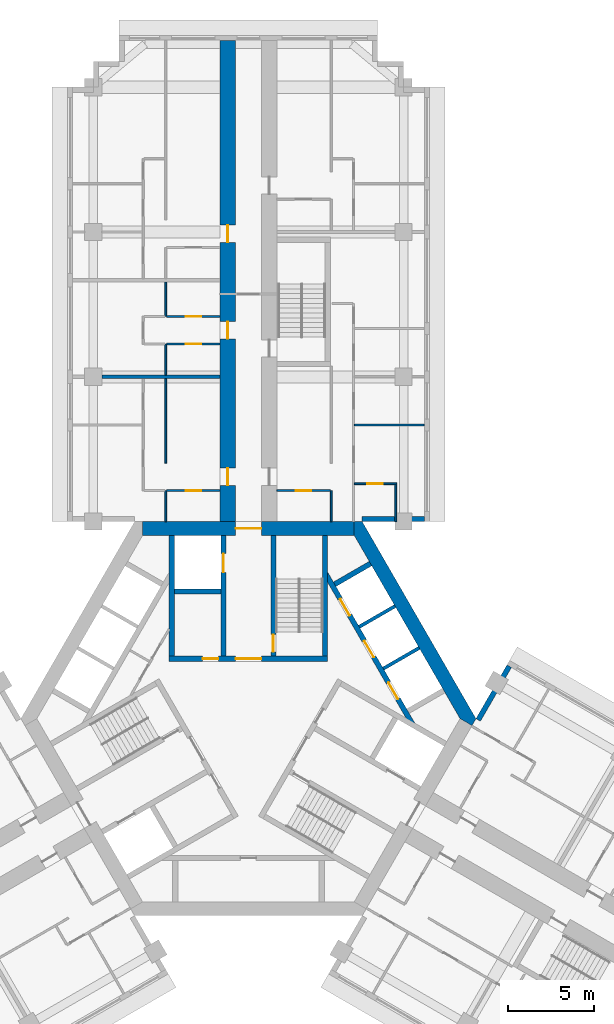
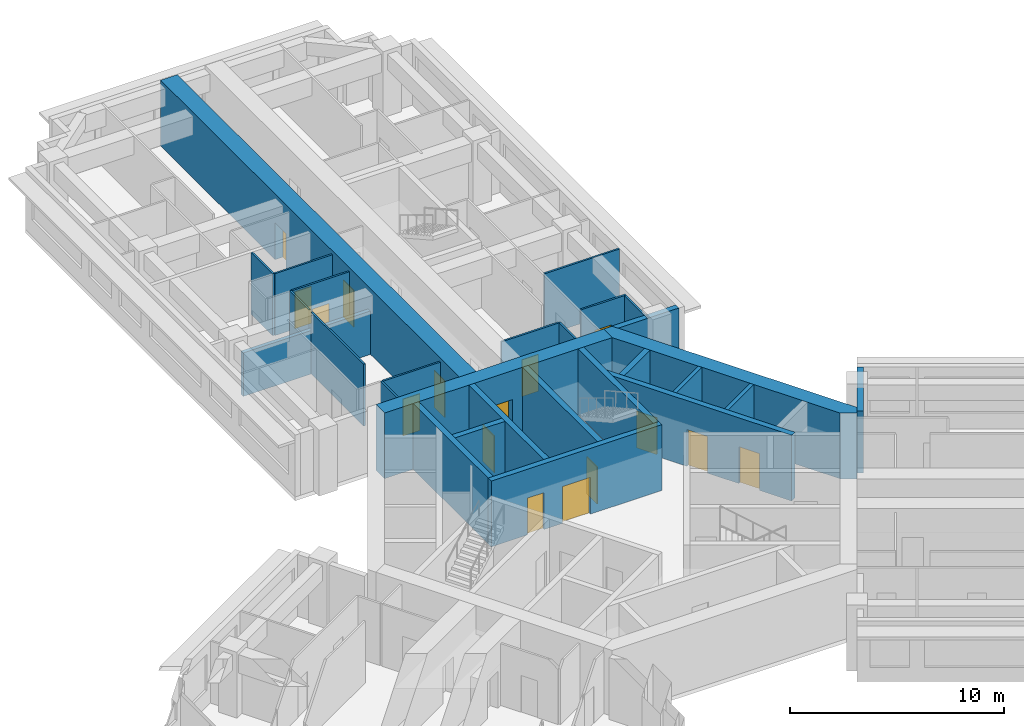
# One storey, part 9 of 15: 28 walls, 16 doors, 16 openings.
"""IFC4 building model written with IfcOpenShell, lengths in metres."""

from ifc_helpers import new_model, si_unit, direction, frame, frame_2d, origin, place, context, subcontext, project, spatial, polyline, rectangle, outline, extrude, material, layer, layer_set, type_object, element, fill, save


model = new_model("IFC4")

# Units and contexts
model_context = context("Model", 3, precision=1e-05, world=origin(), true_north=direction((0.0, 1.0)))
body_context = subcontext(model_context, "Body", "Model", "MODEL_VIEW")
ifc_project = project(units=[si_unit("LENGTHUNIT", "METRE"), si_unit("AREAUNIT", "SQUARE_METRE"), si_unit("VOLUMEUNIT", "CUBIC_METRE"), si_unit("PLANEANGLEUNIT", "RADIAN"), si_unit("MASSUNIT", "GRAM", prefix="KILO")], contexts=[model_context])

# Site, building, storey
site_placement = place(None, origin())
site = spatial("IfcSite", under=ifc_project, at=site_placement, CompositionType="ELEMENT")
building_placement = place(site_placement, origin())
building = spatial("IfcBuilding", under=site, at=building_placement, Name="Impinga Residences", CompositionType="ELEMENT")
storey_placement = place(building_placement, frame((0.0, 0.0, 132.25)))
storey = spatial("IfcBuildingStorey", under=building, at=storey_placement, Name="L32", CompositionType="ELEMENT", Elevation=132.25)

# Wall, openings, doors
ifc_material_1 = material(Name="Concrete C60/75", Category="concrete")
ifc_layer_1 = layer(ifc_material_1, 0.89990234375)
ifc_layer_set_1 = layer_set([ifc_layer_1], Name="Concrete C60/75")
wall_type_1 = type_object("IfcWallType", Name="BW2 corridor buttress wall, L24 to L44 900", PredefinedType="SHEAR", material=ifc_layer_set_1)
wall_1_placement = place(storey_placement, frame((-1.199951171875, 11.031494140625, 0.0), z_axis=(0.0, 0.0, 1.0), x_axis=(0.0, 1.0, 0.0)))
wall_1 = element("IfcWall", 1, at=wall_1_placement, inside=storey, type_object=wall_type_1, Name="Corridor wall BW2 NC L32", PredefinedType="SHEAR", context=body_context, shape_type="SweptSolid", body=[
    extrude(rectangle(XDim=28.300048828125, YDim=0.89990234375, at=frame_2d((14.14990234375, 0.0))), origin(), (0.0, 0.0, 1.0), 3.75),
])
opening_1_placement = place(wall_1_placement, frame((2.5, 0.0, 0.0)))
opening_1 = element("IfcOpeningElement", 2, at=opening_1_placement, cuts=wall_1, Name="Opening D1", PredefinedType="OPENING", context=body_context, shape_type="SweptSolid", body=[
    extrude(rectangle(XDim=1.0, YDim=2.10009765625, at=frame_2d((0.5, 1.050048828125))), frame((0.0, 0.4599609375, 0.0), z_axis=(0.0, -1.0, 0.0), x_axis=(1.0, 0.0, 0.0)), (0.0, 0.0, 1.0), 0.919921875),
])
opening_2_placement = place(wall_1_placement, frame((11.0, 0.0, 0.0)))
opening_2 = element("IfcOpeningElement", 3, at=opening_2_placement, cuts=wall_1, Name="Opening D1", PredefinedType="OPENING", context=body_context, shape_type="SweptSolid", body=[
    extrude(rectangle(XDim=1.0, YDim=2.10009765625, at=frame_2d((0.5, 1.050048828125))), frame((0.0, 0.4599609375, 0.0), z_axis=(0.0, -1.0, 0.0), x_axis=(1.0, 0.0, 0.0)), (0.0, 0.0, 1.0), 0.919921875),
])
opening_3_placement = place(wall_1_placement, frame((16.60009765625, 0.0, 0.0)))
opening_3 = element("IfcOpeningElement", 4, at=opening_3_placement, cuts=wall_1, Name="Opening D1", PredefinedType="OPENING", context=body_context, shape_type="SweptSolid", body=[
    extrude(rectangle(XDim=1.0, YDim=2.10009765625, at=frame_2d((0.5, 1.050048828125))), frame((0.0, 0.4599609375, 0.0), z_axis=(0.0, -1.0, 0.0), x_axis=(1.0, 0.0, 0.0)), (0.0, 0.0, 1.0), 0.919921875),
])
ifc_material_2 = material(Name="Timber door set", Category="wood")
door_type_1 = type_object("IfcDoorType", Name="D1 apartment entrance door 1000x2100", OperationType="SINGLE_SWING_LEFT", PredefinedType="DOOR", material=ifc_material_2)
door_1_placement = place(opening_1_placement, origin())
door_1 = element("IfcDoor", 5, at=door_1_placement, inside=storey, type_object=door_type_1, Name="Apartment L32-NA1 entrance", OperationType="SINGLE_SWING_LEFT", OverallHeight=2.10009765625, OverallWidth=1.0, PredefinedType="DOOR", context=body_context, shape_type="SweptSolid", body=[
    extrude(rectangle(XDim=1.0, YDim=2.10009765625, at=frame_2d((0.5, 1.050048828125))), frame((0.0, 0.02490234375, 0.0), z_axis=(0.0, -1.0, 0.0), x_axis=(1.0, 0.0, 0.0)), (0.0, 0.0, 1.0), 0.050048828125),
])
fill(opening_1, door_1)
door_2_placement = place(opening_2_placement, origin())
door_2 = element("IfcDoor", 6, at=door_2_placement, inside=storey, type_object=door_type_1, Name="Apartment L32-NA2 entrance", OperationType="SINGLE_SWING_LEFT", OverallHeight=2.10009765625, OverallWidth=1.0, PredefinedType="DOOR", context=body_context, shape_type="SweptSolid", body=[
    extrude(rectangle(XDim=1.0, YDim=2.10009765625, at=frame_2d((0.5, 1.050048828125))), frame((0.0, 0.02490234375, 0.0), z_axis=(0.0, -1.0, 0.0), x_axis=(1.0, 0.0, 0.0)), (0.0, 0.0, 1.0), 0.050048828125),
])
fill(opening_2, door_2)
door_3_placement = place(opening_3_placement, origin())
door_3 = element("IfcDoor", 7, at=door_3_placement, inside=storey, type_object=door_type_1, Name="Apartment L32-NA3 entrance", OperationType="SINGLE_SWING_RIGHT", OverallHeight=2.10009765625, OverallWidth=1.0, PredefinedType="DOOR", context=body_context, shape_type="SweptSolid", body=[
    extrude(rectangle(XDim=1.0, YDim=2.10009765625, at=frame_2d((0.5, 1.050048828125))), frame((0.0, 0.02490234375, 0.0), z_axis=(0.0, -1.0, 0.0), x_axis=(1.0, 0.0, 0.0)), (0.0, 0.0, 1.0), 0.050048828125),
])
fill(opening_3, door_3)

# Walls
ifc_material_3 = material(Name="Terracotta rainscreen on blockwork", Category="masonry")
ifc_layer_2 = layer(ifc_material_3, 0.300048828125)
ifc_layer_set_2 = layer_set([ifc_layer_2], Name="EW1 external wall, terracotta rainscreen on blockwork 300")
wall_type_2 = type_object("IfcWallType", Name="EW1 external wall, terracotta rainscreen on blockwork 300", PredefinedType="SOLIDWALL", material=ifc_layer_set_2)
wall_2_placement = place(storey_placement, frame((10.199951171875, 11.58154296875, 0.0), z_axis=(0.0, 0.0, 1.0), x_axis=(-1.0, 0.0, 0.0)))
element("IfcWall", 8, at=wall_2_placement, inside=storey, type_object=wall_type_2, Name="External wall EW1 L32", PredefinedType="SOLIDWALL", context=body_context, shape_type="SweptSolid", body=[
    extrude(rectangle(XDim=3.599853515625, YDim=0.300048828125, at=frame_2d((1.7998046875, 0.0))), origin(), (0.0, 0.0, 1.0), 3.530029296875),
])
wall_3_placement = place(storey_placement, frame((13.329833984375, -0.074951171875, 0.0), z_axis=(0.0, 0.0, 1.0), x_axis=(0.500012057535, 0.866018442252, 0.0)))
element("IfcWall", 9, at=wall_3_placement, inside=storey, type_object=wall_type_2, Name="External wall EW1 L32", PredefinedType="SOLIDWALL", context=body_context, shape_type="SweptSolid", body=[
    extrude(rectangle(XDim=3.60009765625, YDim=0.300048828125, at=frame_2d((1.800048828125, 0.0))), origin(), (0.0, 0.0, 1.0), 3.530029296875),
])
ifc_material_4 = material(Name="Gypsum board on steel studs", Category="steel")
ifc_layer_3 = layer(ifc_material_4, 0.10009765625)
ifc_layer_set_3 = layer_set([ifc_layer_3], Name="Gypsum board on steel studs")
wall_type_3 = type_object("IfcWallType", Name="IP1 partition 100", PredefinedType="PARTITIONING", material=ifc_layer_set_3)
wall_4_placement = place(storey_placement, frame((-4.800048828125, 11.431640625, 0.0), z_axis=(0.0, 0.0, 1.0), x_axis=(0.0, 1.0, 0.0)))
element("IfcWall", 10, at=wall_4_placement, inside=storey, type_object=wall_type_3, Name="Partition L32-NA1:DIV0", PredefinedType="PARTITIONING", context=body_context, shape_type="SweptSolid", body=[
    extrude(rectangle(XDim=1.7998046875, YDim=0.10009765625, at=frame_2d((0.89990234375, 0.0))), origin(), (0.0, 0.0, 1.0), 3.530029296875),
])
wall_5_placement = place(storey_placement, frame((-4.800048828125, 14.83154296875, 0.0), z_axis=(0.0, 0.0, 1.0), x_axis=(0.0, 1.0, 0.0)))
element("IfcWall", 11, at=wall_5_placement, inside=storey, type_object=wall_type_3, Name="Partition L32-NA1:DIV1", PredefinedType="PARTITIONING", context=body_context, shape_type="SweptSolid", body=[
    extrude(rectangle(XDim=4.89990234375, YDim=0.10009765625, at=frame_2d((2.449951171875, 0.0))), origin(), (0.0, 0.0, 1.0), 3.530029296875),
])

# Wall, opening, door
wall_6_placement = place(storey_placement, frame((-1.64990234375, 13.2314453125, 0.0), z_axis=(0.0, 0.0, 1.0), x_axis=(-1.0, 0.0, 0.0)))
wall_6 = element("IfcWall", 12, at=wall_6_placement, inside=storey, type_object=wall_type_3, Name="Partition L32-NA1:IB1", PredefinedType="PARTITIONING", context=body_context, shape_type="SweptSolid", body=[
    extrude(rectangle(XDim=3.10009765625, YDim=0.10009765625, at=frame_2d((1.550048828125, 0.0))), origin(), (0.0, 0.0, 1.0), 3.530029296875),
])
opening_4_placement = place(wall_6_placement, frame((1.10009765625, 0.0, 0.0)))
opening_4 = element("IfcOpeningElement", 13, at=opening_4_placement, cuts=wall_6, Name="Opening D2", PredefinedType="OPENING", context=body_context, shape_type="SweptSolid", body=[
    extrude(rectangle(XDim=0.89990234375, YDim=2.10009765625, at=frame_2d((0.449951171875, 1.050048828125))), frame((0.0, 0.06005859375, 0.0), z_axis=(0.0, -1.0, 0.0), x_axis=(1.0, 0.0, 0.0)), (0.0, 0.0, 1.0), 0.1201171875),
])
door_type_2 = type_object("IfcDoorType", Name="D2 internal door 900x2100", OperationType="SINGLE_SWING_LEFT", PredefinedType="DOOR", material=ifc_material_2)
door_4_placement = place(opening_4_placement, origin())
door_4 = element("IfcDoor", 14, at=door_4_placement, inside=storey, type_object=door_type_2, Name="Apartment L32-NA1 bathroom door", OperationType="SINGLE_SWING_LEFT", OverallHeight=2.10009765625, OverallWidth=0.89990234375, PredefinedType="DOOR", context=body_context, shape_type="SweptSolid", body=[
    extrude(rectangle(XDim=0.89990234375, YDim=2.10009765625, at=frame_2d((0.449951171875, 1.050048828125))), frame((0.0, 0.02490234375, 0.0), z_axis=(0.0, -1.0, 0.0), x_axis=(1.0, 0.0, 0.0)), (0.0, 0.0, 1.0), 0.050048828125),
])
fill(opening_4, door_4)

# Walls
wall_7_placement = place(storey_placement, frame((-4.800048828125, 19.931640625, 0.0), z_axis=(0.0, 0.0, 1.0), x_axis=(0.0, 1.0, 0.0)))
element("IfcWall", 15, at=wall_7_placement, inside=storey, type_object=wall_type_3, Name="Partition L32-NA2:DIV0", PredefinedType="PARTITIONING", context=body_context, shape_type="SweptSolid", body=[
    extrude(rectangle(XDim=1.7998046875, YDim=0.10009765625, at=frame_2d((0.89990234375, 0.0))), origin(), (0.0, 0.0, 1.0), 3.530029296875),
])
wall_8_placement = place(storey_placement, frame((-4.800048828125, 23.33154296875, 0.0), z_axis=(0.0, 0.0, 1.0), x_axis=(0.0, 1.0, 0.0)))
element("IfcWall", 16, at=wall_8_placement, inside=storey, type_object=wall_type_3, Name="Partition L32-NA2:DIV1", PredefinedType="PARTITIONING", context=body_context, shape_type="SweptSolid", body=[
    extrude(rectangle(XDim=2.0, YDim=0.10009765625, at=frame_2d((1.0, 0.0))), origin(), (0.0, 0.0, 1.0), 3.530029296875),
])

# Wall, opening, door
wall_9_placement = place(storey_placement, frame((-1.64990234375, 21.7314453125, 0.0), z_axis=(0.0, 0.0, 1.0), x_axis=(-1.0, 0.0, 0.0)))
wall_9 = element("IfcWall", 17, at=wall_9_placement, inside=storey, type_object=wall_type_3, Name="Partition L32-NA2:IB1", PredefinedType="PARTITIONING", context=body_context, shape_type="SweptSolid", body=[
    extrude(rectangle(XDim=3.10009765625, YDim=0.10009765625, at=frame_2d((1.550048828125, 0.0))), origin(), (0.0, 0.0, 1.0), 3.530029296875),
])
opening_5_placement = place(wall_9_placement, frame((1.10009765625, 0.0, 0.0)))
opening_5 = element("IfcOpeningElement", 18, at=opening_5_placement, cuts=wall_9, Name="Opening D2", PredefinedType="OPENING", context=body_context, shape_type="SweptSolid", body=[
    extrude(rectangle(XDim=0.89990234375, YDim=2.10009765625, at=frame_2d((0.449951171875, 1.050048828125))), frame((0.0, 0.06005859375, 0.0), z_axis=(0.0, -1.0, 0.0), x_axis=(1.0, 0.0, 0.0)), (0.0, 0.0, 1.0), 0.1201171875),
])
door_5_placement = place(opening_5_placement, origin())
door_5 = element("IfcDoor", 19, at=door_5_placement, inside=storey, type_object=door_type_2, Name="Apartment L32-NA2 bathroom door", OperationType="SINGLE_SWING_LEFT", OverallHeight=2.10009765625, OverallWidth=0.89990234375, PredefinedType="DOOR", context=body_context, shape_type="SweptSolid", body=[
    extrude(rectangle(XDim=0.89990234375, YDim=2.10009765625, at=frame_2d((0.449951171875, 1.050048828125))), frame((0.0, 0.02490234375, 0.0), z_axis=(0.0, -1.0, 0.0), x_axis=(1.0, 0.0, 0.0)), (0.0, 0.0, 1.0), 0.050048828125),
])
fill(opening_5, door_5)

wall_10_placement = place(storey_placement, frame((-1.64990234375, 23.33154296875, 0.0), z_axis=(0.0, 0.0, 1.0), x_axis=(-1.0, 0.0, 0.0)))
wall_10 = element("IfcWall", 20, at=wall_10_placement, inside=storey, type_object=wall_type_3, Name="Partition L32-NA2:IB2", PredefinedType="PARTITIONING", context=body_context, shape_type="SweptSolid", body=[
    extrude(rectangle(XDim=3.10009765625, YDim=0.10009765625, at=frame_2d((1.550048828125, 0.0))), origin(), (0.0, 0.0, 1.0), 3.530029296875),
])
opening_6_placement = place(wall_10_placement, frame((1.10009765625, 0.0, 0.0)))
opening_6 = element("IfcOpeningElement", 21, at=opening_6_placement, cuts=wall_10, Name="Opening D2", PredefinedType="OPENING", context=body_context, shape_type="SweptSolid", body=[
    extrude(rectangle(XDim=0.89990234375, YDim=2.10009765625, at=frame_2d((0.449951171875, 1.050048828125))), frame((0.0, 0.06005859375, 0.0), z_axis=(0.0, -1.0, 0.0), x_axis=(1.0, 0.0, 0.0)), (0.0, 0.0, 1.0), 0.1201171875),
])
door_6_placement = place(opening_6_placement, origin())
door_6 = element("IfcDoor", 22, at=door_6_placement, inside=storey, type_object=door_type_2, Name="Apartment L32-NA2 WC door", OperationType="SINGLE_SWING_LEFT", OverallHeight=2.10009765625, OverallWidth=0.89990234375, PredefinedType="DOOR", context=body_context, shape_type="SweptSolid", body=[
    extrude(rectangle(XDim=0.89990234375, YDim=2.10009765625, at=frame_2d((0.449951171875, 1.050048828125))), frame((0.0, 0.02490234375, 0.0), z_axis=(0.0, -1.0, 0.0), x_axis=(1.0, 0.0, 0.0)), (0.0, 0.0, 1.0), 0.050048828125),
])
fill(opening_6, door_6)

# Wall
wall_11_placement = place(storey_placement, frame((4.800048828125, 11.431640625, 0.0), z_axis=(0.0, 0.0, 1.0), x_axis=(0.0, 1.0, 0.0)))
element("IfcWall", 23, at=wall_11_placement, inside=storey, type_object=wall_type_3, Name="Partition L32-NF1:DIV0", PredefinedType="PARTITIONING", context=body_context, shape_type="SweptSolid", body=[
    extrude(rectangle(XDim=1.7998046875, YDim=0.10009765625, at=frame_2d((0.89990234375, 0.0))), origin(), (0.0, 0.0, 1.0), 3.530029296875),
])

# Wall, opening, door
wall_12_placement = place(storey_placement, frame((1.64990234375, 13.2314453125, 0.0), z_axis=(0.0, 0.0, 1.0), x_axis=(1.0, 0.0, 0.0)))
wall_12 = element("IfcWall", 24, at=wall_12_placement, inside=storey, type_object=wall_type_3, Name="Partition L32-NF1:IB1", PredefinedType="PARTITIONING", context=body_context, shape_type="SweptSolid", body=[
    extrude(rectangle(XDim=3.10009765625, YDim=0.10009765625, at=frame_2d((1.550048828125, 0.0))), origin(), (0.0, 0.0, 1.0), 3.530029296875),
])
opening_7_placement = place(wall_12_placement, frame((1.10009765625, 0.0, 0.0)))
opening_7 = element("IfcOpeningElement", 25, at=opening_7_placement, cuts=wall_12, Name="Opening D2", PredefinedType="OPENING", context=body_context, shape_type="SweptSolid", body=[
    extrude(rectangle(XDim=0.89990234375, YDim=2.10009765625, at=frame_2d((0.449951171875, 1.050048828125))), frame((0.0, 0.06005859375, 0.0), z_axis=(0.0, -1.0, 0.0), x_axis=(1.0, 0.0, 0.0)), (0.0, 0.0, 1.0), 0.1201171875),
])
door_7_placement = place(opening_7_placement, origin())
door_7 = element("IfcDoor", 26, at=door_7_placement, inside=storey, type_object=door_type_2, Name="Apartment L32-NF1 bathroom door", OperationType="SINGLE_SWING_LEFT", OverallHeight=2.10009765625, OverallWidth=0.89990234375, PredefinedType="DOOR", context=body_context, shape_type="SweptSolid", body=[
    extrude(rectangle(XDim=0.89990234375, YDim=2.10009765625, at=frame_2d((0.449951171875, 1.050048828125))), frame((0.0, 0.02490234375, 0.0), z_axis=(0.0, -1.0, 0.0), x_axis=(1.0, 0.0, 0.0)), (0.0, 0.0, 1.0), 0.050048828125),
])
fill(opening_7, door_7)

# Wall
wall_13_placement = place(storey_placement, frame((6.14990234375, 17.031494140625, 0.0), z_axis=(0.0, 0.0, 1.0), x_axis=(1.0, 0.0, 0.0)))
element("IfcWall", 27, at=wall_13_placement, inside=storey, type_object=wall_type_3, Name="Partition L32-NF1:OB1", PredefinedType="PARTITIONING", context=body_context, shape_type="SweptSolid", body=[
    extrude(rectangle(XDim=4.050048828125, YDim=0.10009765625, at=frame_2d((2.02490234375, 0.0))), origin(), (0.0, 0.0, 1.0), 3.530029296875),
])

# Wall, opening, door
wall_14_placement = place(storey_placement, frame((6.14990234375, 13.631591796875, 0.0), z_axis=(0.0, 0.0, 1.0), x_axis=(1.0, 0.0, 0.0)))
wall_14 = element("IfcWall", 28, at=wall_14_placement, inside=storey, type_object=wall_type_3, Name="Partition L32-NF1:EN1", PredefinedType="PARTITIONING", context=body_context, shape_type="SweptSolid", body=[
    extrude(rectangle(XDim=2.4501953125, YDim=0.10009765625, at=frame_2d((1.22509765625, 0.0))), origin(), (0.0, 0.0, 1.0), 3.530029296875),
])
opening_8_placement = place(wall_14_placement, frame((0.75, 0.0, 0.0)))
opening_8 = element("IfcOpeningElement", 29, at=opening_8_placement, cuts=wall_14, Name="Opening D2", PredefinedType="OPENING", context=body_context, shape_type="SweptSolid", body=[
    extrude(rectangle(XDim=0.89990234375, YDim=2.10009765625, at=frame_2d((0.449951171875, 1.050048828125))), frame((0.0, 0.06005859375, 0.0), z_axis=(0.0, -1.0, 0.0), x_axis=(1.0, 0.0, 0.0)), (0.0, 0.0, 1.0), 0.1201171875),
])
door_8_placement = place(opening_8_placement, origin())
door_8 = element("IfcDoor", 30, at=door_8_placement, inside=storey, type_object=door_type_2, Name="Apartment L32-NF1 en-suite door", OperationType="SINGLE_SWING_LEFT", OverallHeight=2.10009765625, OverallWidth=0.89990234375, PredefinedType="DOOR", context=body_context, shape_type="SweptSolid", body=[
    extrude(rectangle(XDim=0.89990234375, YDim=2.10009765625, at=frame_2d((0.449951171875, 1.050048828125))), frame((0.0, 0.02490234375, 0.0), z_axis=(0.0, -1.0, 0.0), x_axis=(1.0, 0.0, 0.0)), (0.0, 0.0, 1.0), 0.050048828125),
])
fill(opening_8, door_8)

# Walls
wall_15_placement = place(storey_placement, frame((8.550048828125, 11.431640625, 0.0), z_axis=(0.0, 0.0, 1.0), x_axis=(0.0, 1.0, 0.0)))
element("IfcWall", 31, at=wall_15_placement, inside=storey, type_object=wall_type_3, Name="Partition L32-NF1:EN2", PredefinedType="PARTITIONING", context=body_context, shape_type="SweptSolid", body=[
    extrude(rectangle(XDim=2.14990234375, YDim=0.10009765625, at=frame_2d((1.074951171875, 0.0))), origin(), (0.0, 0.0, 1.0), 3.530029296875),
])
ifc_material_5 = material(Name="Concrete blockwork", Category="masonry")
ifc_layer_4 = layer(ifc_material_5, 0.199951171875)
ifc_layer_set_4 = layer_set([ifc_layer_4], Name="PW1 party wall between apartments 200")
wall_type_4 = type_object("IfcWallType", Name="PW1 party wall between apartments 200", PredefinedType="SOLIDWALL", material=ifc_layer_set_4)
wall_16_placement = place(storey_placement, frame((-1.64990234375, 19.83154296875, 0.0), z_axis=(0.0, 0.0, 1.0), x_axis=(-1.0, 0.0, 0.0)))
element("IfcWall", 32, at=wall_16_placement, inside=storey, type_object=wall_type_4, Name="Party wall between apartments L32-NA1:PARTY", PredefinedType="SOLIDWALL", context=body_context, shape_type="SweptSolid", body=[
    extrude(rectangle(XDim=6.85009765625, YDim=0.199951171875, at=frame_2d((3.425048828125, 0.0))), origin(), (0.0, 0.0, 1.0), 2.47998046875),
])

# Wall, opening, door
ifc_layer_5 = layer(ifc_material_1, 0.800048828125)
ifc_layer_set_5 = layer_set([ifc_layer_5], Name="Concrete C60/75")
wall_type_5 = type_object("IfcWallType", Name="SW2 core wall 800", PredefinedType="SHEAR", material=ifc_layer_set_5)
wall_17_placement = place(storey_placement, frame((-6.13818359375, 11.031494140625, 0.0), z_axis=(0.0, 0.0, 1.0), x_axis=(1.0, 0.0, 0.0)))
wall_17 = element("IfcWall", 33, at=wall_17_placement, inside=storey, type_object=wall_type_5, Name="Core wall SW2 N:FACE L32", PredefinedType="SHEAR", context=body_context, shape_type="SweptSolid", body=[
    extrude(rectangle(XDim=12.2763671875, YDim=0.800048828125, at=frame_2d((6.13818359375, 0.0))), origin(), (0.0, 0.0, 1.0), 3.75),
])
opening_9_placement = place(wall_17_placement, frame((5.38818359375, 0.0, 0.0)))
opening_9 = element("IfcOpeningElement", 34, at=opening_9_placement, cuts=wall_17, Name="Opening D4", PredefinedType="OPENING", context=body_context, shape_type="SweptSolid", body=[
    extrude(rectangle(XDim=1.5, YDim=2.10009765625, at=frame_2d((0.75, 1.050048828125))), frame((0.0, 0.409912109375, 0.0), z_axis=(0.0, -1.0, 0.0), x_axis=(1.0, 0.0, 0.0)), (0.0, 0.0, 1.0), 0.820068359375),
])
door_type_3 = type_object("IfcDoorType", Name="D4 lobby door pair 1500x2100", OperationType="DOUBLE_DOOR_DOUBLE_SWING", PredefinedType="DOOR", material=ifc_material_2)
door_9_placement = place(opening_9_placement, origin())
door_9 = element("IfcDoor", 35, at=door_9_placement, inside=storey, type_object=door_type_3, Name="Lobby door N", OperationType="DOUBLE_DOOR_DOUBLE_SWING", OverallHeight=2.10009765625, OverallWidth=1.5, PredefinedType="DOOR", context=body_context, shape_type="SweptSolid", body=[
    extrude(rectangle(XDim=1.5, YDim=2.10009765625, at=frame_2d((0.75, 1.050048828125))), frame((0.0, 0.02490234375, 0.0), z_axis=(0.0, -1.0, 0.0), x_axis=(1.0, 0.0, 0.0)), (0.0, 0.0, 1.0), 0.050048828125),
])
fill(opening_9, door_9)

# Wall
wall_18_placement = place(storey_placement, origin())
element("IfcWall", 36, at=wall_18_placement, inside=storey, type_object=wall_type_5, Name="Core wall SW2 W:EXPOSED L32", PredefinedType="SHEAR", context=body_context, shape_type="SweptSolid", body=[
    extrude(outline(polyline([(13.199951171875, 0.0), (6.60009765625, 11.431640625), (6.13818359375, 11.431640625), (6.13818359375, 10.631591796875), (12.276123046875, 0.0), (12.968994140625, -0.39990234375), (13.199951171875, 0.0)])), origin(), (0.0, 0.0, 1.0), 3.75),
])

# Wall, openings, doors
ifc_material_6 = material(Name="Concrete C70/85", Category="concrete")
ifc_layer_6 = layer(ifc_material_6, 0.300048828125)
ifc_layer_set_6 = layer_set([ifc_layer_6], Name="Concrete C70/85")
wall_type_6 = type_object("IfcWallType", Name="SW5 core inner wall, stairs, shafts and lobbies 300", PredefinedType="SHEAR", material=ifc_layer_set_6)
wall_19_placement = place(storey_placement, frame((-4.60009765625, 3.47998046875, 0.0), z_axis=(0.0, 0.0, 1.0), x_axis=(1.0, 0.0, 0.0)))
wall_19 = element("IfcWall", 37, at=wall_19_placement, inside=storey, type_object=wall_type_6, Name="Core wall SW5 N:ZONE L32", PredefinedType="SHEAR", context=body_context, shape_type="SweptSolid", body=[
    extrude(rectangle(XDim=9.2001953125, YDim=0.300048828125, at=frame_2d((4.60009765625, 0.0))), origin(), (0.0, 0.0, 1.0), 3.75),
])
opening_10_placement = place(wall_19_placement, frame((3.85009765625, 0.0, 0.0)))
opening_10 = element("IfcOpeningElement", 38, at=opening_10_placement, cuts=wall_19, Name="Opening D4", PredefinedType="OPENING", context=body_context, shape_type="SweptSolid", body=[
    extrude(rectangle(XDim=1.5, YDim=2.10009765625, at=frame_2d((0.75, 1.050048828125))), frame((0.0, 0.159912109375, 0.0), z_axis=(0.0, -1.0, 0.0), x_axis=(1.0, 0.0, 0.0)), (0.0, 0.0, 1.0), 0.320068359375),
])
opening_11_placement = place(wall_19_placement, frame((1.949951171875, 0.0, 0.0)))
opening_11 = element("IfcOpeningElement", 39, at=opening_11_placement, cuts=wall_19, Name="Opening D6", PredefinedType="OPENING", context=body_context, shape_type="SweptSolid", body=[
    extrude(rectangle(XDim=0.89990234375, YDim=2.10009765625, at=frame_2d((0.449951171875, 1.050048828125))), frame((0.0, 0.159912109375, 0.0), z_axis=(0.0, -1.0, 0.0), x_axis=(1.0, 0.0, 0.0)), (0.0, 0.0, 1.0), 0.320068359375),
])
door_10_placement = place(opening_10_placement, origin())
door_10 = element("IfcDoor", 40, at=door_10_placement, inside=storey, type_object=door_type_3, Name="Firefighting lobby door N", OperationType="DOUBLE_DOOR_DOUBLE_SWING", OverallHeight=2.10009765625, OverallWidth=1.5, PredefinedType="DOOR", context=body_context, shape_type="SweptSolid", body=[
    extrude(rectangle(XDim=1.5, YDim=2.10009765625, at=frame_2d((0.75, 1.050048828125))), frame((0.0, 0.02490234375, 0.0), z_axis=(0.0, -1.0, 0.0), x_axis=(1.0, 0.0, 0.0)), (0.0, 0.0, 1.0), 0.050048828125),
])
fill(opening_10, door_10)
door_type_4 = type_object("IfcDoorType", Name="D6 riser and store door 900x2100", OperationType="SINGLE_SWING_LEFT", PredefinedType="DOOR", material=ifc_material_2)
door_11_placement = place(opening_11_placement, origin())
door_11 = element("IfcDoor", 41, at=door_11_placement, inside=storey, type_object=door_type_4, Name="Riser door N", OperationType="SINGLE_SWING_LEFT", OverallHeight=2.10009765625, OverallWidth=0.89990234375, PredefinedType="DOOR", context=body_context, shape_type="SweptSolid", body=[
    extrude(rectangle(XDim=0.89990234375, YDim=2.10009765625, at=frame_2d((0.449951171875, 1.050048828125))), frame((0.0, 0.02490234375, 0.0), z_axis=(0.0, -1.0, 0.0), x_axis=(1.0, 0.0, 0.0)), (0.0, 0.0, 1.0), 0.050048828125),
])
fill(opening_11, door_11)

# Wall, opening, door
wall_20_placement = place(storey_placement, frame((1.449951171875, 3.6298828125, 0.0), z_axis=(0.0, 0.0, 1.0), x_axis=(0.0, 1.0, 0.0)))
wall_20 = element("IfcWall", 42, at=wall_20_placement, inside=storey, type_object=wall_type_6, Name="Core wall SW5 N:ST-IN L32", PredefinedType="SHEAR", context=body_context, shape_type="SweptSolid", body=[
    extrude(rectangle(XDim=7.001708984375, YDim=0.300048828125, at=frame_2d((3.5009765625, 0.0))), origin(), (0.0, 0.0, 1.0), 3.75),
])
opening_12_placement = place(wall_20_placement, frame((0.25, 0.0, 0.0)))
opening_12 = element("IfcOpeningElement", 43, at=opening_12_placement, cuts=wall_20, Name="Opening D5", PredefinedType="OPENING", context=body_context, shape_type="SweptSolid", body=[
    extrude(rectangle(XDim=1.0, YDim=2.10009765625, at=frame_2d((0.5, 1.050048828125))), frame((0.0, 0.159912109375, 0.0), z_axis=(0.0, -1.0, 0.0), x_axis=(1.0, 0.0, 0.0)), (0.0, 0.0, 1.0), 0.320068359375),
])
door_type_5 = type_object("IfcDoorType", Name="D5 stair door 1000x2100", OperationType="SINGLE_SWING_LEFT", PredefinedType="DOOR", material=ifc_material_2)
door_12_placement = place(opening_12_placement, origin())
door_12 = element("IfcDoor", 44, at=door_12_placement, inside=storey, type_object=door_type_5, Name="Stair door N", OperationType="SINGLE_SWING_LEFT", OverallHeight=2.10009765625, OverallWidth=1.0, PredefinedType="DOOR", context=body_context, shape_type="SweptSolid", body=[
    extrude(rectangle(XDim=1.0, YDim=2.10009765625, at=frame_2d((0.5, 1.050048828125))), frame((0.0, 0.02490234375, 0.0), z_axis=(0.0, -1.0, 0.0), x_axis=(1.0, 0.0, 0.0)), (0.0, 0.0, 1.0), 0.050048828125),
])
fill(opening_12, door_12)

# Wall
wall_21_placement = place(storey_placement, frame((4.449951171875, 3.6298828125, 0.0), z_axis=(0.0, 0.0, 1.0), x_axis=(0.0, 1.0, 0.0)))
element("IfcWall", 45, at=wall_21_placement, inside=storey, type_object=wall_type_6, Name="Core wall SW5 N:ST-OUT L32", PredefinedType="SHEAR", context=body_context, shape_type="SweptSolid", body=[
    extrude(rectangle(XDim=7.001708984375, YDim=0.300048828125, at=frame_2d((3.5009765625, 0.0))), origin(), (0.0, 0.0, 1.0), 3.75),
])

# Wall, opening, door
wall_22_placement = place(storey_placement, frame((-1.449951171875, 3.6298828125, 0.0), z_axis=(0.0, 0.0, 1.0), x_axis=(0.0, 1.0, 0.0)))
wall_22 = element("IfcWall", 46, at=wall_22_placement, inside=storey, type_object=wall_type_6, Name="Core wall SW5 N:FF-IN L32", PredefinedType="SHEAR", context=body_context, shape_type="SweptSolid", body=[
    extrude(rectangle(XDim=7.001708984375, YDim=0.300048828125, at=frame_2d((3.5009765625, 0.0))), origin(), (0.0, 0.0, 1.0), 3.75),
])
opening_13_placement = place(wall_22_placement, frame((4.85009765625, 0.0, 0.0)))
opening_13 = element("IfcOpeningElement", 47, at=opening_13_placement, cuts=wall_22, Name="Opening LD2", PredefinedType="OPENING", context=body_context, shape_type="SweptSolid", body=[
    extrude(rectangle(XDim=1.10009765625, YDim=2.10009765625, at=frame_2d((0.550048828125, 1.050048828125))), frame((0.0, 0.159912109375, 0.0), z_axis=(0.0, -1.0, 0.0), x_axis=(1.0, 0.0, 0.0)), (0.0, 0.0, 1.0), 0.320068359375),
])
ifc_material_7 = material(Name="Steel lift landing door", Category="steel")
door_type_6 = type_object("IfcDoorType", Name="LD2 firefighting lift landing door 1100x2100", OperationType="DOUBLE_DOOR_SLIDING", PredefinedType="DOOR", material=ifc_material_7)
door_13_placement = place(opening_13_placement, origin())
door_13 = element("IfcDoor", 48, at=door_13_placement, inside=storey, type_object=door_type_6, Name="Firefighting lift landing door F1", OperationType="DOUBLE_DOOR_SLIDING", OverallHeight=2.10009765625, OverallWidth=1.10009765625, PredefinedType="DOOR", context=body_context, shape_type="SweptSolid", body=[
    extrude(rectangle(XDim=1.10009765625, YDim=2.10009765625, at=frame_2d((0.550048828125, 1.050048828125))), frame((0.0, 0.02490234375, 0.0), z_axis=(0.0, -1.0, 0.0), x_axis=(1.0, 0.0, 0.0)), (0.0, 0.0, 1.0), 0.050048828125),
])
fill(opening_13, door_13)

# Walls
wall_23_placement = place(storey_placement, frame((-4.449951171875, 3.6298828125, 0.0), z_axis=(0.0, 0.0, 1.0), x_axis=(0.0, 1.0, 0.0)))
element("IfcWall", 49, at=wall_23_placement, inside=storey, type_object=wall_type_6, Name="Core wall SW5 N:FF-OUT L32", PredefinedType="SHEAR", context=body_context, shape_type="SweptSolid", body=[
    extrude(rectangle(XDim=7.001708984375, YDim=0.300048828125, at=frame_2d((3.5009765625, 0.0))), origin(), (0.0, 0.0, 1.0), 3.75),
])
wall_24_placement = place(storey_placement, frame((-4.300048828125, 7.3798828125, 0.0), z_axis=(0.0, 0.0, 1.0), x_axis=(1.0, 0.0, 0.0)))
element("IfcWall", 50, at=wall_24_placement, inside=storey, type_object=wall_type_6, Name="Core wall SW5 N:FF-RS L32", PredefinedType="SHEAR", context=body_context, shape_type="SweptSolid", body=[
    extrude(rectangle(XDim=2.699951171875, YDim=0.300048828125, at=frame_2d((1.35009765625, 0.0))), origin(), (0.0, 0.0, 1.0), 3.75),
])

# Wall, openings, doors
wall_25_placement = place(storey_placement, frame((4.449951171875, 8.455322265625, 0.0), z_axis=(0.0, 0.0, 1.0), x_axis=(0.500002290144, -0.866024081565, 0.0)))
wall_25 = element("IfcWall", 51, at=wall_25_placement, inside=storey, type_object=wall_type_6, Name="Core wall SW5 W:BANK-FRONT L32", PredefinedType="SHEAR", context=body_context, shape_type="SweptSolid", body=[
    extrude(rectangle(XDim=10.1953125, YDim=0.300048828125, at=frame_2d((5.09765625, 0.0))), origin(), (0.0, 0.0, 1.0), 3.75),
])
opening_14_placement = place(wall_25_placement, frame((1.74755859375, 0.0, 0.0)))
opening_14 = element("IfcOpeningElement", 52, at=opening_14_placement, cuts=wall_25, Name="Opening LD1", PredefinedType="OPENING", context=body_context, shape_type="SweptSolid", body=[
    extrude(rectangle(XDim=1.10009765625, YDim=2.10009765625, at=frame_2d((0.550048828125, 1.050048828125))), frame((0.0, 0.159912109375, 0.0), z_axis=(0.0, -1.0, 0.0), x_axis=(1.0, 0.0, 0.0)), (0.0, 0.0, 1.0), 0.320068359375),
])
opening_15_placement = place(wall_25_placement, frame((4.547607421875, 0.0, 0.0)))
opening_15 = element("IfcOpeningElement", 53, at=opening_15_placement, cuts=wall_25, Name="Opening LD1", PredefinedType="OPENING", context=body_context, shape_type="SweptSolid", body=[
    extrude(rectangle(XDim=1.10009765625, YDim=2.10009765625, at=frame_2d((0.550048828125, 1.050048828125))), frame((0.0, 0.159912109375, 0.0), z_axis=(0.0, -1.0, 0.0), x_axis=(1.0, 0.0, 0.0)), (0.0, 0.0, 1.0), 0.320068359375),
])
opening_16_placement = place(wall_25_placement, frame((7.34765625, 0.0, 0.0)))
opening_16 = element("IfcOpeningElement", 54, at=opening_16_placement, cuts=wall_25, Name="Opening LD1", PredefinedType="OPENING", context=body_context, shape_type="SweptSolid", body=[
    extrude(rectangle(XDim=1.10009765625, YDim=2.10009765625, at=frame_2d((0.550048828125, 1.050048828125))), frame((0.0, 0.159912109375, 0.0), z_axis=(0.0, -1.0, 0.0), x_axis=(1.0, 0.0, 0.0)), (0.0, 0.0, 1.0), 0.320068359375),
])
door_type_7 = type_object("IfcDoorType", Name="LD1 passenger lift landing door 1100x2100", OperationType="DOUBLE_DOOR_SLIDING", PredefinedType="DOOR", material=ifc_material_7)
door_14_placement = place(opening_14_placement, origin())
door_14 = element("IfcDoor", 55, at=door_14_placement, inside=storey, type_object=door_type_7, Name="Lift landing door P4", OperationType="DOUBLE_DOOR_SLIDING", OverallHeight=2.10009765625, OverallWidth=1.10009765625, PredefinedType="DOOR", context=body_context, shape_type="SweptSolid", body=[
    extrude(rectangle(XDim=1.10009765625, YDim=2.10009765625, at=frame_2d((0.550048828125, 1.050048828125))), frame((0.0, 0.02490234375, 0.0), z_axis=(0.0, -1.0, 0.0), x_axis=(1.0, 0.0, 0.0)), (0.0, 0.0, 1.0), 0.050048828125),
])
fill(opening_14, door_14)
door_15_placement = place(opening_15_placement, origin())
door_15 = element("IfcDoor", 56, at=door_15_placement, inside=storey, type_object=door_type_7, Name="Lift landing door P5", OperationType="DOUBLE_DOOR_SLIDING", OverallHeight=2.10009765625, OverallWidth=1.10009765625, PredefinedType="DOOR", context=body_context, shape_type="SweptSolid", body=[
    extrude(rectangle(XDim=1.10009765625, YDim=2.10009765625, at=frame_2d((0.550048828125, 1.050048828125))), frame((0.0, 0.02490234375, 0.0), z_axis=(0.0, -1.0, 0.0), x_axis=(1.0, 0.0, 0.0)), (0.0, 0.0, 1.0), 0.050048828125),
])
fill(opening_15, door_15)
door_16_placement = place(opening_16_placement, origin())
door_16 = element("IfcDoor", 57, at=door_16_placement, inside=storey, type_object=door_type_7, Name="Lift landing door P6", OperationType="DOUBLE_DOOR_SLIDING", OverallHeight=2.10009765625, OverallWidth=1.10009765625, PredefinedType="DOOR", context=body_context, shape_type="SweptSolid", body=[
    extrude(rectangle(XDim=1.10009765625, YDim=2.10009765625, at=frame_2d((0.550048828125, 1.050048828125))), frame((0.0, 0.02490234375, 0.0), z_axis=(0.0, -1.0, 0.0), x_axis=(1.0, 0.0, 0.0)), (0.0, 0.0, 1.0), 0.050048828125),
])
fill(opening_16, door_16)

# Walls
wall_26_placement = place(storey_placement, frame((5.003662109375, 7.79638671875, 0.0), z_axis=(0.0, 0.0, 1.0), x_axis=(0.866050077142, 0.499957262057, 0.0)))
element("IfcWall", 58, at=wall_26_placement, inside=storey, type_object=wall_type_6, Name="Core wall SW5 W:BANK-L L32", PredefinedType="SHEAR", context=body_context, shape_type="SweptSolid", body=[
    extrude(rectangle(XDim=2.400146484375, YDim=0.300048828125, at=frame_2d((1.2001953125, 0.0))), origin(), (0.0, 0.0, 1.0), 3.75),
])
ifc_layer_7 = layer(ifc_material_6, 0.199951171875)
ifc_layer_set_7 = layer_set([ifc_layer_7], Name="Concrete C70/85")
wall_type_7 = type_object("IfcWallType", Name="SW6 lift shaft divider wall 200", PredefinedType="SHEAR", material=ifc_layer_set_7)
wall_27_placement = place(storey_placement, frame((6.4287109375, 5.328125, 0.0), z_axis=(0.0, 0.0, 1.0), x_axis=(0.865980596518, 0.500077600433, 0.0)))
element("IfcWall", 59, at=wall_27_placement, inside=storey, type_object=wall_type_7, Name="Core wall SW6 W:BANK-D1 L32", PredefinedType="SHEAR", context=body_context, shape_type="SweptSolid", body=[
    extrude(rectangle(XDim=2.39990234375, YDim=0.199951171875, at=frame_2d((1.199951171875, 0.0))), origin(), (0.0, 0.0, 1.0), 3.75),
])
wall_28_placement = place(storey_placement, frame((7.82861328125, 2.9033203125, 0.0), z_axis=(0.0, 0.0, 1.0), x_axis=(0.866050077142, 0.499957262057, 0.0)))
element("IfcWall", 60, at=wall_28_placement, inside=storey, type_object=wall_type_7, Name="Core wall SW6 W:BANK-D2 L32", PredefinedType="SHEAR", context=body_context, shape_type="SweptSolid", body=[
    extrude(rectangle(XDim=2.400146484375, YDim=0.199951171875, at=frame_2d((1.2001953125, 0.0))), origin(), (0.0, 0.0, 1.0), 3.75),
])

save(model, "model.ifc")
